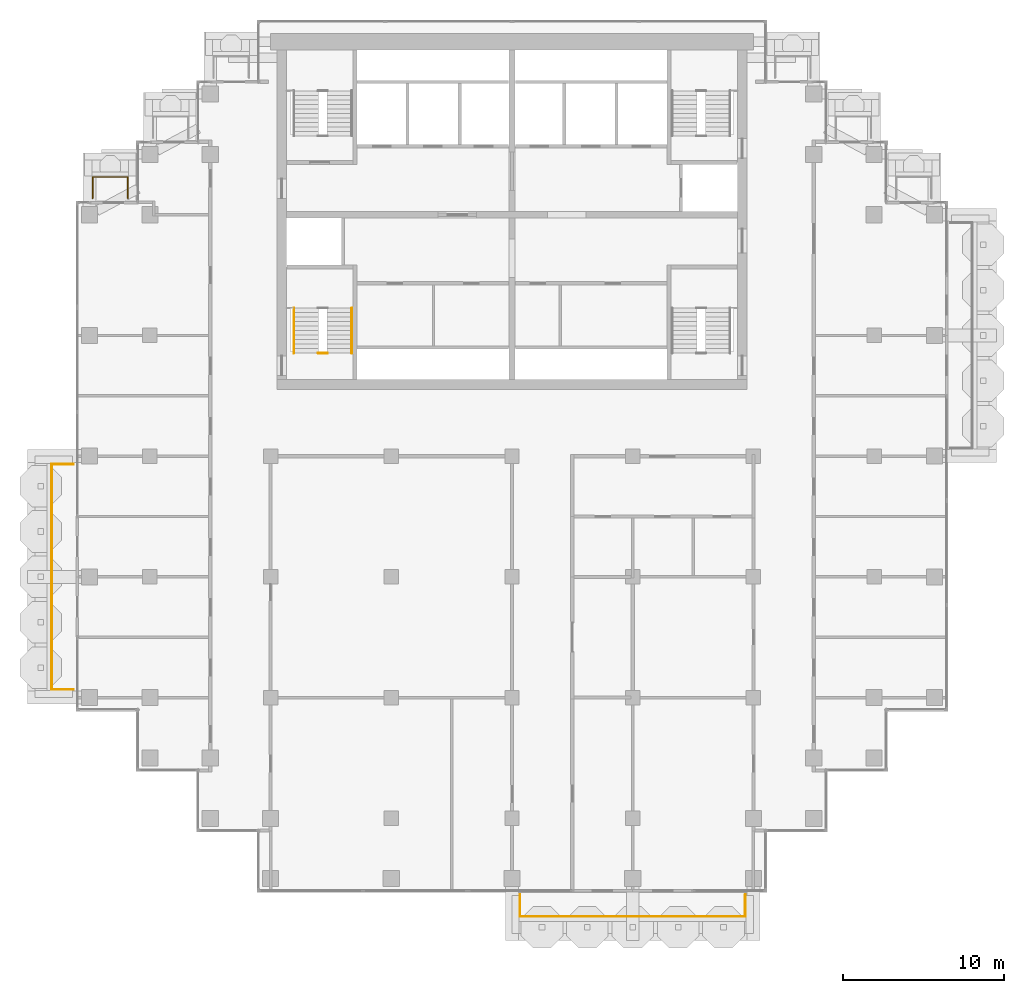
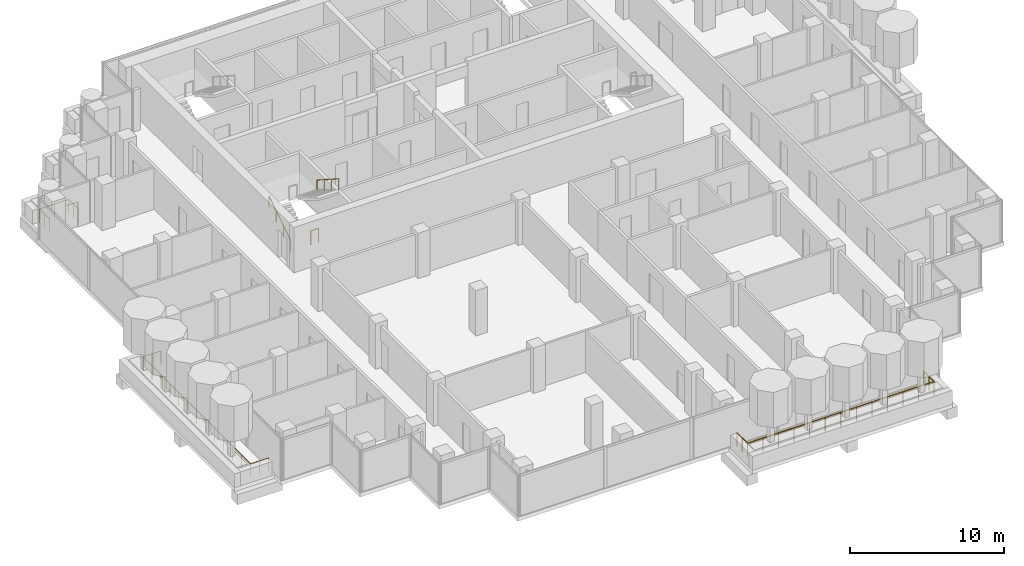
# One storey, part 16 of 19: 6 railings.
"""IFC4 building model written with IfcOpenShell, lengths in metres."""

import ifcopenshell
import ifcopenshell.guid

model = None  # the IFC model being written
_history = None  # IfcOwnerHistory: only IFC2X3 demands one
_inside = {}  # id of a spatial element -> (the spatial element, [elements in it])
_under = {}  # id of a project, library or spatial element -> (it, [spatial elements below it])
_declared = {}  # id of a project -> (the project, [libraries it declares])
_typed = {}  # id of a type object -> (the type object, [elements of that type])
_made_of = {}  # id of a material, layer set ... -> (it, [elements and type objects made of it])


def new_model(schema):
    """Start an empty IFC model of exactly this schema.

    Asked for "IFC4X3", IfcOpenShell would pick the latest addendum, in which some entities
    have other attributes; the version numbers below select the first issue.
    IFC2X3 requires an IfcOwnerHistory on every rooted entity: one is made here for all.
    """
    global model, _history
    if schema == "IFC4X3":
        model = ifcopenshell.file(schema_version=(4, 3, 0, 0))
    else:
        model = ifcopenshell.file(schema=schema)
    _inside.clear()
    _under.clear()
    _declared.clear()
    _typed.clear()
    _made_of.clear()
    _history = None
    if model.schema == "IFC2X3":
        org = make("IfcOrganization", Name="unknown")
        user = make(
            "IfcPersonAndOrganization",
            ThePerson=make("IfcPerson", FamilyName="unknown"),
            TheOrganization=org,
        )
        app = make(
            "IfcApplication",
            ApplicationDeveloper=org,
            Version="unknown",
            ApplicationFullName="unknown",
            ApplicationIdentifier="unknown",
        )
        _history = make(
            "IfcOwnerHistory",
            OwningUser=user,
            OwningApplication=app,
            ChangeAction="ADDED",
            CreationDate=0,
        )
    return model


def make(cls, **values):
    """One entity of the class cls with the attributes given. An attribute that is None is left unset."""
    return model.create_entity(
        cls, **{name: value for name, value in values.items() if value is not None}
    )


def rooted(cls, **values):
    """An entity with a GlobalId (a new one), such as an element, a storey or a relation."""
    return make(cls, GlobalId=ifcopenshell.guid.new(), OwnerHistory=_history, **values)


def si_unit(unit_type, name, prefix=None):
    """IfcSIUnit, for example si_unit("LENGTHUNIT", "METRE", prefix="MILLI")."""
    return make("IfcSIUnit", UnitType=unit_type, Prefix=prefix, Name=name)


def assignment(units):
    """IfcUnitAssignment: the units of a project."""
    return None if units is None else make("IfcUnitAssignment", Units=units)


def point(xyz):
    """IfcCartesianPoint."""
    return None if xyz is None else make("IfcCartesianPoint", Coordinates=xyz)


def direction(xyz):
    """IfcDirection."""
    return None if xyz is None else make("IfcDirection", DirectionRatios=xyz)


def frame(location, z_axis=None, x_axis=None):
    """IfcAxis2Placement3D, a coordinate frame: its origin and axes. An axis left out is left unset."""
    return make(
        "IfcAxis2Placement3D",
        Location=point(location),
        Axis=direction(z_axis),
        RefDirection=direction(x_axis),
    )


def frame_2d(location, x_axis=None):
    """IfcAxis2Placement2D, a coordinate frame in the plane: its origin and x axis."""
    return make(
        "IfcAxis2Placement2D", Location=point(location), RefDirection=direction(x_axis)
    )


def origin():
    """The frame at (0, 0, 0) with its axes left unset."""
    return frame((0.0, 0.0, 0.0))


def origin_2d():
    """The frame at (0, 0) in the plane with its x axis left unset."""
    return frame_2d((0.0, 0.0))


def place(relative_to, where):
    """IfcLocalPlacement: puts the frame where relative to a parent placement (None: the world)."""
    return make(
        "IfcLocalPlacement", PlacementRelTo=relative_to, RelativePlacement=where
    )


def context(
    kind, dimensions, precision=None, world=None, true_north=None, identifier=None
):
    """IfcGeometricRepresentationContext, for example the 3D "Model" context."""
    return make(
        "IfcGeometricRepresentationContext",
        ContextIdentifier=identifier,
        ContextType=kind,
        CoordinateSpaceDimension=dimensions,
        Precision=precision,
        WorldCoordinateSystem=world,
        TrueNorth=true_north,
    )


def subcontext(parent, identifier, kind, view, scale=None):
    """IfcGeometricRepresentationSubContext, for example "Body" below "Model"."""
    return make(
        "IfcGeometricRepresentationSubContext",
        ContextIdentifier=identifier,
        ContextType=kind,
        ParentContext=parent,
        TargetScale=scale,
        TargetView=view,
    )


def project(units=None, contexts=None):
    """IfcProject with its units and contexts."""
    return rooted(
        "IfcProject",
        Name="project",
        RepresentationContexts=contexts,
        UnitsInContext=assignment(units),
    )


def spatial(cls, under=None, at=None, **own):
    """A site, building, storey or space (cls), placed at a placement, below another one or the project."""
    s = rooted(cls, ObjectPlacement=at, **own)
    if under is not None:
        _under.setdefault(under.id(), (under, []))[1].append(s)
    return s


def profile(cls, at=None, kind="AREA", **sizes):
    """A parametric profile (cls). Its sizes go by their IFC names, for example OverallWidth=200.0."""
    return make(cls, ProfileType=kind, Position=at, **sizes)


def circle(**sizes):
    """IfcCircleProfileDef."""
    return profile("IfcCircleProfileDef", **sizes)


def extrude(swept, where, along, depth):
    """IfcExtrudedAreaSolid: the profile swept, set in the frame where, extruded along a direction by depth."""
    return make(
        "IfcExtrudedAreaSolid",
        SweptArea=swept,
        Position=where,
        ExtrudedDirection=direction(along),
        Depth=depth,
    )


def shape(context_of_items, identifier, shape_type, items):
    """IfcShapeRepresentation: the items that make up one representation, for example the "Body"."""
    return make(
        "IfcShapeRepresentation",
        ContextOfItems=context_of_items,
        RepresentationIdentifier=identifier,
        RepresentationType=shape_type,
        Items=items,
    )


def material(Name=None, Category=None):
    """IfcMaterial."""
    return make("IfcMaterial", Name=Name, Category=Category)


def made_of(thing, what):
    """Note that an element or type object is made of a material, layer set ...; save() writes the relation."""
    if what is not None:
        _made_of.setdefault(what.id(), (what, []))[1].append(thing)
    return thing


def type_object(cls, material=None, **own):
    """A type object (cls), such as IfcWallType, which elements share."""
    return made_of(rooted(cls, **own), material)


def element(
    cls,
    number,
    at=None,
    inside=None,
    cuts=None,
    type_object=None,
    material=None,
    context=None,
    identifier="Body",
    shape_type=None,
    held_by="IfcProductDefinitionShape",
    body=None,
    shapes=None,
    **own,
):
    """One element of the class cls, such as IfcWall. Its Tag is "e" and its number.

    at: its placement. inside: the storey or other place that contains it. cuts: it is an
    opening in that element (IfcRelVoidsElement). A single representation is given by context,
    identifier, shape_type and body (its items); several are given by shapes. held_by: the class
    of the entity that holds the representations. save() writes the other relations.
    """
    e = rooted(cls, Tag="e%d" % number, ObjectPlacement=at, **own)
    if body is not None:
        shapes = [shape(context, identifier, shape_type, body)]
    if shapes is not None:
        e.Representation = make(held_by, Representations=shapes)
    if inside is not None:
        _inside.setdefault(inside.id(), (inside, []))[1].append(e)
    if cuts is not None:
        rooted(
            "IfcRelVoidsElement", RelatingBuildingElement=cuts, RelatedOpeningElement=e
        )
    if type_object is not None:
        _typed.setdefault(type_object.id(), (type_object, []))[1].append(e)
    return made_of(e, material)


def aggregate(whole, parts):
    """IfcRelAggregates: a whole, such as a stair, and the parts it consists of."""
    return rooted("IfcRelAggregates", RelatingObject=whole, RelatedObjects=parts)


def save(model, path):
    """Write the relations noted so far, then the file.

    IfcRelAggregates (storeys below a building ...), IfcRelContainedInSpatialStructure (elements
    in a storey), IfcRelDefinesByType, IfcRelAssociatesMaterial and IfcRelDeclares: one each for
    every whole, place, type object, material and project.
    """
    for whole, parts in _under.values():
        aggregate(whole, parts)
    for where, things in _inside.values():
        rooted(
            "IfcRelContainedInSpatialStructure",
            RelatedElements=things,
            RelatingStructure=where,
        )
    for kind, things in _typed.values():
        rooted("IfcRelDefinesByType", RelatedObjects=things, RelatingType=kind)
    for what, things in _made_of.values():
        rooted("IfcRelAssociatesMaterial", RelatedObjects=things, RelatingMaterial=what)
    for by, libraries in _declared.values():
        rooted("IfcRelDeclares", RelatingContext=by, RelatedDefinitions=libraries)
    model.write(path)


model = new_model("IFC4")

# Units and contexts
model_context = context("Model", 3, precision=1e-05, world=origin(), true_north=direction((0.0, 1.0)))
body_context = subcontext(model_context, "Body", "Model", "MODEL_VIEW")
ifc_project = project(units=[si_unit("LENGTHUNIT", "METRE"), si_unit("AREAUNIT", "SQUARE_METRE"), si_unit("VOLUMEUNIT", "CUBIC_METRE"), si_unit("PLANEANGLEUNIT", "RADIAN"), si_unit("MASSUNIT", "GRAM", prefix="KILO")], contexts=[model_context])

# Site, building, storey
site_placement = place(None, origin())
site = spatial("IfcSite", under=ifc_project, at=site_placement, CompositionType="ELEMENT")
building_placement = place(site_placement, origin())
building = spatial("IfcBuilding", under=site, at=building_placement, Name="Pilkhan Gate Tower", CompositionType="ELEMENT")
storey_placement = place(building_placement, frame((0.0, 0.0, 217.5)))
storey = spatial("IfcBuildingStorey", under=building, at=storey_placement, Name="L56", CompositionType="ELEMENT", Elevation=217.5)

# Railings
ifc_material_1 = material(Name="Pale anodised aluminium posts, laminated glass infill", Category="aluminium")
railing_type_1 = type_object("IfcRailingType", Name="Balcony guard G1", PredefinedType="BALUSTRADE", material=ifc_material_1)
railing_1_placement = place(storey_placement, frame((75.5, 40.25, 0.0)))
element("IfcRailing", 1, at=railing_1_placement, inside=storey, type_object=railing_type_1, Name="Balcony guard L56 S", PredefinedType="BALUSTRADE", context=body_context, shape_type="SweptSolid", body=[
    extrude(circle(Radius=0.02392578125, at=origin_2d()), frame((0.0, 0.0, 1.076171875), z_axis=(0.0, -1.0, 0.0), x_axis=(1.0, 0.0, 0.0)), (0.0, 0.0, 1.0), 1.35009765625),
    extrude(circle(Radius=0.02392578125, at=origin_2d()), frame((0.0, -1.35009765625, 1.076171875), z_axis=(1.0, 0.0, 0.0), x_axis=(0.0, 1.0, 0.0)), (0.0, 0.0, 1.0), 14.0),
    extrude(circle(Radius=0.02392578125, at=origin_2d()), frame((14.0, -1.35009765625, 1.076171875), z_axis=(0.0, 1.0, 0.0), x_axis=(-1.0, 0.0, 0.0)), (0.0, 0.0, 1.0), 1.35009765625),
    extrude(circle(Radius=0.02099609375, at=origin_2d()), origin(), (0.0, 0.0, 1.0), 1.052001953125),
    extrude(circle(Radius=0.02099609375, at=origin_2d()), frame((0.0, -0.675048828125, 0.0)), (0.0, 0.0, 1.0), 1.052001953125),
    extrude(circle(Radius=0.02099609375, at=origin_2d()), frame((0.0, -1.35009765625, 0.0)), (0.0, 0.0, 1.0), 1.052001953125),
    extrude(circle(Radius=0.02099609375, at=origin_2d()), frame((1.166748046875, -1.35009765625, 0.0)), (0.0, 0.0, 1.0), 1.052001953125),
    extrude(circle(Radius=0.02099609375, at=origin_2d()), frame((2.333251953125, -1.35009765625, 0.0)), (0.0, 0.0, 1.0), 1.052001953125),
    extrude(circle(Radius=0.02099609375, at=origin_2d()), frame((3.5, -1.35009765625, 0.0)), (0.0, 0.0, 1.0), 1.052001953125),
    extrude(circle(Radius=0.02099609375, at=origin_2d()), frame((4.666748046875, -1.35009765625, 0.0)), (0.0, 0.0, 1.0), 1.052001953125),
    extrude(circle(Radius=0.02099609375, at=origin_2d()), frame((5.833251953125, -1.35009765625, 0.0)), (0.0, 0.0, 1.0), 1.052001953125),
    extrude(circle(Radius=0.02099609375, at=origin_2d()), frame((7.0, -1.35009765625, 0.0)), (0.0, 0.0, 1.0), 1.052001953125),
    extrude(circle(Radius=0.02099609375, at=origin_2d()), frame((8.166748046875, -1.35009765625, 0.0)), (0.0, 0.0, 1.0), 1.052001953125),
    extrude(circle(Radius=0.02099609375, at=origin_2d()), frame((9.333251953125, -1.35009765625, 0.0)), (0.0, 0.0, 1.0), 1.052001953125),
    extrude(circle(Radius=0.02099609375, at=origin_2d()), frame((10.5, -1.35009765625, 0.0)), (0.0, 0.0, 1.0), 1.052001953125),
    extrude(circle(Radius=0.02099609375, at=origin_2d()), frame((11.666748046875, -1.35009765625, 0.0)), (0.0, 0.0, 1.0), 1.052001953125),
    extrude(circle(Radius=0.02099609375, at=origin_2d()), frame((12.833251953125, -1.35009765625, 0.0)), (0.0, 0.0, 1.0), 1.052001953125),
    extrude(circle(Radius=0.02099609375, at=origin_2d()), frame((14.0, -1.35009765625, 0.0)), (0.0, 0.0, 1.0), 1.052001953125),
    extrude(circle(Radius=0.02099609375, at=origin_2d()), frame((14.0, -0.675048828125, 0.0)), (0.0, 0.0, 1.0), 1.052001953125),
    extrude(circle(Radius=0.02099609375, at=origin_2d()), frame((14.0, 0.0, 0.0)), (0.0, 0.0, 1.0), 1.052001953125),
])
railing_2_placement = place(storey_placement, frame((48.949951171875, 83.52001953125, 0.0)))
element("IfcRailing", 2, at=railing_2_placement, inside=storey, type_object=railing_type_1, Name="Balcony guard L56 N", PredefinedType="BALUSTRADE", context=body_context, shape_type="SweptSolid", body=[
    extrude(circle(Radius=0.02392578125, at=origin_2d()), frame((0.0, 0.0, 1.076171875), z_axis=(0.0, 1.0, 0.0), x_axis=(-1.0, 0.0, 0.0)), (0.0, 0.0, 1.0), 1.330078125),
    extrude(circle(Radius=0.02392578125, at=origin_2d()), frame((0.0, 1.330078125, 1.076171875), z_axis=(1.0, 0.0, 0.0), x_axis=(0.0, 1.0, 0.0)), (0.0, 0.0, 1.0), 2.179931640625),
    extrude(circle(Radius=0.02392578125, at=origin_2d()), frame((2.179931640625, 1.330078125, 1.076171875), z_axis=(0.0, -1.0, 0.0), x_axis=(1.0, 0.0, 0.0)), (0.0, 0.0, 1.0), 1.330078125),
    extrude(circle(Radius=0.02099609375, at=origin_2d()), origin(), (0.0, 0.0, 1.0), 1.052001953125),
    extrude(circle(Radius=0.02099609375, at=origin_2d()), frame((0.0, 0.6650390625, 0.0)), (0.0, 0.0, 1.0), 1.052001953125),
    extrude(circle(Radius=0.02099609375, at=origin_2d()), frame((0.0, 1.330078125, 0.0)), (0.0, 0.0, 1.0), 1.052001953125),
    extrude(circle(Radius=0.02099609375, at=origin_2d()), frame((1.08984375, 1.330078125, 0.0)), (0.0, 0.0, 1.0), 1.052001953125),
    extrude(circle(Radius=0.02099609375, at=origin_2d()), frame((2.179931640625, 1.330078125, 0.0)), (0.0, 0.0, 1.0), 1.052001953125),
    extrude(circle(Radius=0.02099609375, at=origin_2d()), frame((2.179931640625, 0.6650390625, 0.0)), (0.0, 0.0, 1.0), 1.052001953125),
    extrude(circle(Radius=0.02099609375, at=origin_2d()), frame((2.179931640625, 0.0, 0.0)), (0.0, 0.0, 1.0), 1.052001953125),
])
railing_3_placement = place(storey_placement, frame((47.75, 53.0, 0.0)))
element("IfcRailing", 3, at=railing_3_placement, inside=storey, type_object=railing_type_1, Name="Balcony guard L56 W", PredefinedType="BALUSTRADE", context=body_context, shape_type="SweptSolid", body=[
    extrude(circle(Radius=0.02392578125, at=origin_2d()), frame((0.0, 0.0, 1.076171875), z_axis=(-1.0, 0.0, 0.0), x_axis=(0.0, -1.0, 0.0)), (0.0, 0.0, 1.0), 1.35009765625),
    extrude(circle(Radius=0.02392578125, at=origin_2d()), frame((-1.35009765625, 0.0, 1.076171875), z_axis=(0.0, 1.0, 0.0), x_axis=(-1.0, 0.0, 0.0)), (0.0, 0.0, 1.0), 14.0),
    extrude(circle(Radius=0.02392578125, at=origin_2d()), frame((-1.35009765625, 14.0, 1.076171875), z_axis=(1.0, 0.0, 0.0), x_axis=(0.0, 1.0, 0.0)), (0.0, 0.0, 1.0), 1.35009765625),
    extrude(circle(Radius=0.02099609375, at=origin_2d()), origin(), (0.0, 0.0, 1.0), 1.052001953125),
    extrude(circle(Radius=0.02099609375, at=origin_2d()), frame((-0.675048828125, 0.0, 0.0)), (0.0, 0.0, 1.0), 1.052001953125),
    extrude(circle(Radius=0.02099609375, at=origin_2d()), frame((-1.35009765625, 0.0, 0.0)), (0.0, 0.0, 1.0), 1.052001953125),
    extrude(circle(Radius=0.02099609375, at=origin_2d()), frame((-1.35009765625, 1.166748046875, 0.0)), (0.0, 0.0, 1.0), 1.052001953125),
    extrude(circle(Radius=0.02099609375, at=origin_2d()), frame((-1.35009765625, 2.333251953125, 0.0)), (0.0, 0.0, 1.0), 1.052001953125),
    extrude(circle(Radius=0.02099609375, at=origin_2d()), frame((-1.35009765625, 3.5, 0.0)), (0.0, 0.0, 1.0), 1.052001953125),
    extrude(circle(Radius=0.02099609375, at=origin_2d()), frame((-1.35009765625, 4.666748046875, 0.0)), (0.0, 0.0, 1.0), 1.052001953125),
    extrude(circle(Radius=0.02099609375, at=origin_2d()), frame((-1.35009765625, 5.833251953125, 0.0)), (0.0, 0.0, 1.0), 1.052001953125),
    extrude(circle(Radius=0.02099609375, at=origin_2d()), frame((-1.35009765625, 7.0, 0.0)), (0.0, 0.0, 1.0), 1.052001953125),
    extrude(circle(Radius=0.02099609375, at=origin_2d()), frame((-1.35009765625, 8.166748046875, 0.0)), (0.0, 0.0, 1.0), 1.052001953125),
    extrude(circle(Radius=0.02099609375, at=origin_2d()), frame((-1.35009765625, 9.333251953125, 0.0)), (0.0, 0.0, 1.0), 1.052001953125),
    extrude(circle(Radius=0.02099609375, at=origin_2d()), frame((-1.35009765625, 10.5, 0.0)), (0.0, 0.0, 1.0), 1.052001953125),
    extrude(circle(Radius=0.02099609375, at=origin_2d()), frame((-1.35009765625, 11.666748046875, 0.0)), (0.0, 0.0, 1.0), 1.052001953125),
    extrude(circle(Radius=0.02099609375, at=origin_2d()), frame((-1.35009765625, 12.833251953125, 0.0)), (0.0, 0.0, 1.0), 1.052001953125),
    extrude(circle(Radius=0.02099609375, at=origin_2d()), frame((-1.35009765625, 14.0, 0.0)), (0.0, 0.0, 1.0), 1.052001953125),
    extrude(circle(Radius=0.02099609375, at=origin_2d()), frame((-0.675048828125, 14.0, 0.0)), (0.0, 0.0, 1.0), 1.052001953125),
    extrude(circle(Radius=0.02099609375, at=origin_2d()), frame((0.0, 14.0, 0.0)), (0.0, 0.0, 1.0), 1.052001953125),
])
ifc_material_2 = material(Name="Black powder-coated steel tube", Category="steel")
railing_type_2 = type_object("IfcRailingType", Name="Stair handrail HR1", PredefinedType="HANDRAIL", material=ifc_material_2)
railing_4_placement = place(storey_placement, frame((61.449951171875, 73.89990234375, 0.0)))
element("IfcRailing", 4, at=railing_4_placement, inside=storey, type_object=railing_type_2, Name="Stair ST2 handrail L56", PredefinedType="HANDRAIL", context=body_context, shape_type="SweptSolid", body=[
    extrude(circle(Radius=0.02392578125, at=origin_2d()), frame((0.0, 0.0, 0.8759765625), z_axis=(0.0, 0.841176092368, 0.540761298198), x_axis=(-1.0, 0.0, 0.0)), (0.0, 0.0, 1.0), 3.32861328125),
    extrude(circle(Radius=0.02099609375, at=origin_2d()), origin(), (0.0, 0.0, 1.0), 0.851806640625),
    extrude(circle(Radius=0.02099609375, at=origin_2d()), frame((0.0, 0.933349609375, 0.60009765625)), (0.0, 0.0, 1.0), 0.851806640625),
    extrude(circle(Radius=0.02099609375, at=origin_2d()), frame((0.0, 1.86669921875, 1.199951171875)), (0.0, 0.0, 1.0), 0.851806640625),
    extrude(circle(Radius=0.02099609375, at=origin_2d()), frame((0.0, 2.800048828125, 1.800048828125)), (0.0, 0.0, 1.0), 0.851806640625),
])
railing_5_placement = place(storey_placement, frame((65.050048828125, 76.699951171875, 1.800048828125)))
element("IfcRailing", 5, at=railing_5_placement, inside=storey, type_object=railing_type_2, Name="Stair ST2 handrail L56", PredefinedType="HANDRAIL", context=body_context, shape_type="SweptSolid", body=[
    extrude(circle(Radius=0.02392578125, at=origin_2d()), frame((0.0, 0.0, 0.8759765625), z_axis=(0.0, -0.841176092368, 0.540761298198), x_axis=(1.0, 0.0, 0.0)), (0.0, 0.0, 1.0), 3.32861328125),
    extrude(circle(Radius=0.02099609375, at=origin_2d()), origin(), (0.0, 0.0, 1.0), 0.851806640625),
    extrude(circle(Radius=0.02099609375, at=origin_2d()), frame((0.0, -0.933349609375, 0.60009765625)), (0.0, 0.0, 1.0), 0.851806640625),
    extrude(circle(Radius=0.02099609375, at=origin_2d()), frame((0.0, -1.86669921875, 1.199951171875)), (0.0, 0.0, 1.0), 0.851806640625),
    extrude(circle(Radius=0.02099609375, at=origin_2d()), frame((0.0, -2.800048828125, 1.800048828125)), (0.0, 0.0, 1.0), 0.851806640625),
])
ifc_material_3 = material(Name="Black powder-coated steel balusters", Category="steel")
railing_type_3 = type_object("IfcRailingType", Name="Stair well guard G3", PredefinedType="GUARDRAIL", material=ifc_material_3)
railing_6_placement = place(storey_placement, frame((62.9599609375, 73.89990234375, 0.0)))
element("IfcRailing", 6, at=railing_6_placement, inside=storey, type_object=railing_type_3, Name="Stair ST2 well guard L56", PredefinedType="GUARDRAIL", context=body_context, shape_type="SweptSolid", body=[
    extrude(circle(Radius=0.02392578125, at=origin_2d()), frame((0.0, 0.0, 1.076171875), z_axis=(1.0, 0.0, 0.0), x_axis=(0.0, 1.0, 0.0)), (0.0, 0.0, 1.0), 0.580078125),
    extrude(circle(Radius=0.02099609375, at=origin_2d()), origin(), (0.0, 0.0, 1.0), 1.052001953125),
    extrude(circle(Radius=0.02099609375, at=origin_2d()), frame((0.580078125, 0.0, 0.0)), (0.0, 0.0, 1.0), 1.052001953125),
])

save(model, "model.ifc")
